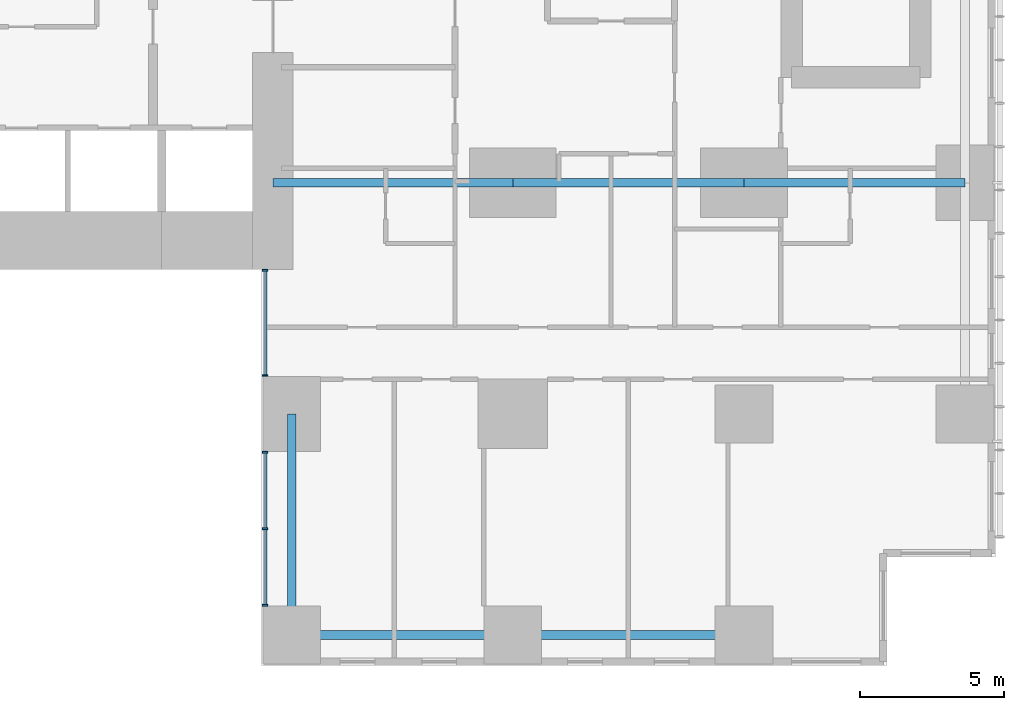
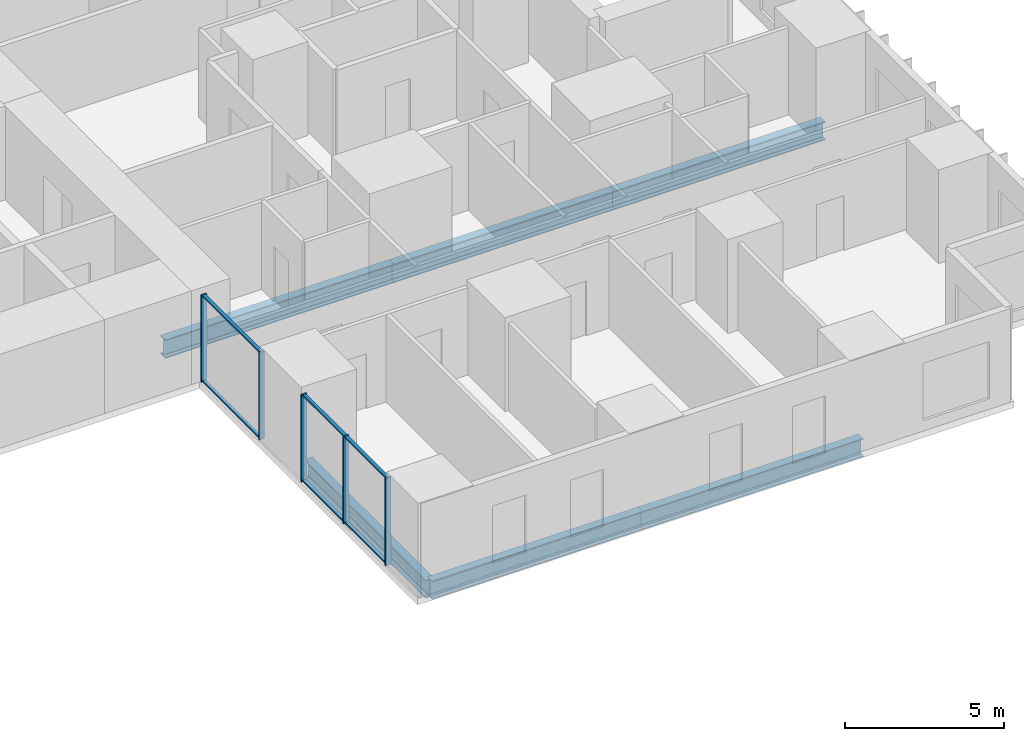
# One storey, part 3 of 20: 11 members, 6 beams, 2 elements without a shape of their own.
"""IFC4 building model written with IfcOpenShell, lengths in metres."""

from ifc_helpers import new_model, si_unit, direction, frame, origin, origin_2d, place, context, subcontext, project, spatial, rectangle, i_section, extrude, material, layer, layer_set, material_profile, profile_set, type_object, element, aggregate, save


model = new_model("IFC4")

# Units and contexts
model_context = context("Model", 3, precision=1e-05, world=origin(), true_north=direction((0.0, 1.0)))
body_context = subcontext(model_context, "Body", "Model", "MODEL_VIEW")
ifc_project = project(units=[si_unit("LENGTHUNIT", "METRE"), si_unit("AREAUNIT", "SQUARE_METRE"), si_unit("VOLUMEUNIT", "CUBIC_METRE"), si_unit("PLANEANGLEUNIT", "RADIAN"), si_unit("MASSUNIT", "GRAM", prefix="KILO")], contexts=[model_context])

# Site, building, storey
site_placement = place(None, origin())
site = spatial("IfcSite", under=ifc_project, at=site_placement, CompositionType="ELEMENT")
building_placement = place(site_placement, origin())
building = spatial("IfcBuilding", under=site, at=building_placement, Name="Cleftline Residences", CompositionType="ELEMENT")
storey_placement = place(building_placement, frame((0.0, 0.0, 121.39990234375)))
storey = spatial("IfcBuildingStorey", under=building, at=storey_placement, Name="L31", CompositionType="ELEMENT", Elevation=121.39990234375)

# Beams
ifc_material_1 = material(Name="Steel S355", Category="steel")
ifc_material_profile_1 = material_profile(ifc_material_1, i_section(OverallWidth=0.300048828125, OverallDepth=0.699951171875, WebThickness=0.01708984375, FlangeThickness=0.031982421875, FilletRadius=0.027099609375, at=origin_2d()))
ifc_profile_set_1 = profile_set([ifc_material_profile_1], Name="Steel S355")
beam_type_1 = type_object("IfcBeamType", Name="BEAM HEB 700", PredefinedType="BEAM", material=ifc_profile_set_1)
beam_1_placement = place(storey_placement, frame((58.0, 0.35009765625, -0.599853515625), z_axis=(-1.0, 0.0, 0.0), x_axis=(0.0, -1.0, 0.0)))
element("IfcBeam", 1, at=beam_1_placement, inside=storey, type_object=beam_type_1, Name="Edge beam", PredefinedType="BEAM", context=body_context, shape_type="SweptSolid", body=[
    extrude(i_section(OverallWidth=0.300048828125, OverallDepth=0.699951171875, WebThickness=0.01708984375, FlangeThickness=0.031982421875, FilletRadius=0.027099609375, at=origin_2d()), origin(), (0.0, 0.0, 1.0), 8.0),
])
for number, where, z_axis, x_axis, name in (
    (2, (50.0, 0.35009765625, -0.599853515625), (-1.0, 0.0, 0.0), (0.0, -1.0, 0.0), "Edge beam"),
    (3, (42.35009765625, 0.35009765625, -0.599853515625), (0.0, 1.0, 0.0), (-1.0, 0.0, 0.0), "Edge beam"),
):
    element("IfcBeam", number, at=place(storey_placement, frame(where, z_axis=z_axis, x_axis=x_axis)), inside=storey, type_object=beam_type_1, Name=name, PredefinedType="BEAM", context=body_context, shape_type="SweptSolid", body=[
        extrude(i_section(OverallWidth=0.300048828125, OverallDepth=0.699951171875, WebThickness=0.01708984375, FlangeThickness=0.031982421875, FilletRadius=0.027099609375, at=origin_2d()), origin(), (0.0, 0.0, 1.0), 7.64990234375),
    ])
ifc_material_2 = material(Name="Steel S355", Category="steel")
ifc_material_profile_2 = material_profile(ifc_material_2, i_section(OverallWidth=0.303955078125, OverallDepth=0.716064453125, WebThickness=0.02099609375, FlangeThickness=0.0400390625, FilletRadius=0.027099609375, at=origin_2d()))
ifc_profile_set_2 = profile_set([ifc_material_profile_2], Name="Steel S355")
beam_type_2 = type_object("IfcBeamType", Name="BEAM HEM 700", PredefinedType="BEAM", material=ifc_profile_set_2)
beam_2_placement = place(storey_placement, frame((65.64990234375, 16.0, -0.60791015625), z_axis=(-1.0, 0.0, 0.0), x_axis=(0.0, -1.0, 0.0)))
element("IfcBeam", 4, at=beam_2_placement, inside=storey, type_object=beam_type_2, Name="Band beam", PredefinedType="BEAM", context=body_context, shape_type="SweptSolid", body=[
    extrude(i_section(OverallWidth=0.303955078125, OverallDepth=0.716064453125, WebThickness=0.02099609375, FlangeThickness=0.0400390625, FilletRadius=0.027099609375, at=origin_2d()), origin(), (0.0, 0.0, 1.0), 7.64990234375),
])
beam_3_placement = place(storey_placement, frame((58.0, 16.0, -0.60791015625), z_axis=(-1.0, 0.0, 0.0), x_axis=(0.0, -1.0, 0.0)))
element("IfcBeam", 5, at=beam_3_placement, inside=storey, type_object=beam_type_2, Name="Band beam", PredefinedType="BEAM", context=body_context, shape_type="SweptSolid", body=[
    extrude(i_section(OverallWidth=0.303955078125, OverallDepth=0.716064453125, WebThickness=0.02099609375, FlangeThickness=0.0400390625, FilletRadius=0.027099609375, at=origin_2d()), origin(), (0.0, 0.0, 1.0), 8.0),
])
beam_4_placement = place(storey_placement, frame((50.0, 16.0, -0.60791015625), z_axis=(-1.0, 0.0, 0.0), x_axis=(0.0, -1.0, 0.0)))
element("IfcBeam", 6, at=beam_4_placement, inside=storey, type_object=beam_type_2, Name="Band beam", PredefinedType="BEAM", context=body_context, shape_type="SweptSolid", body=[
    extrude(i_section(OverallWidth=0.303955078125, OverallDepth=0.716064453125, WebThickness=0.02099609375, FlangeThickness=0.0400390625, FilletRadius=0.027099609375, at=origin_2d()), origin(), (0.0, 0.0, 1.0), 8.300048828125),
])

# Curtain wall, members
ifc_material_3 = material(Name="Aluminium framed curtain wall", Category="aluminium")
ifc_layer = layer(ifc_material_3, 0.199951171875)
ifc_layer_set = layer_set([ifc_layer], Name="CW1 CLEFT GLAZING")
curtain_wall_type = type_object("IfcCurtainWallType", Name="CW1 CLEFT GLAZING", PredefinedType="NOTDEFINED", material=ifc_layer_set)
curtain_wall_1_placement = place(storey_placement, origin())
curtain_wall_1 = element("IfcCurtainWall", 7, at=curtain_wall_1_placement, inside=storey, type_object=curtain_wall_type, Name="Curtain wall CW1", PredefinedType="NOTDEFINED")
ifc_material_4 = material(Name="Aluminium mullion", Category="aluminium")
ifc_material_profile_3 = material_profile(ifc_material_4, rectangle(XDim=0.199951171875, YDim=0.06005859375, at=origin_2d()))
ifc_profile_set_3 = profile_set([ifc_material_profile_3], Name="Aluminium mullion")
member_type_1 = type_object("IfcMemberType", Name="CW1 MULLION", PredefinedType="MULLION", material=ifc_profile_set_3)
member_1_placement = place(storey_placement, frame((41.425048828125, 12.969970703125, 0.0), z_axis=(0.0, 0.0, 1.0), x_axis=(1.0, 0.0, 0.0)))
member_1 = element("IfcMember", 8, at=member_1_placement, type_object=member_type_1, Name="CW1 mullion 1", PredefinedType="MULLION", context=body_context, shape_type="SweptSolid", body=[
    extrude(rectangle(XDim=0.199951171875, YDim=0.06005859375, at=origin_2d()), origin(), (0.0, 0.0, 1.0), 3.35009765625),
])
member_2_placement = place(storey_placement, frame((41.425048828125, 9.330078125, 0.0), z_axis=(0.0, 0.0, 1.0), x_axis=(1.0, 0.0, 0.0)))
member_2 = element("IfcMember", 9, at=member_2_placement, type_object=member_type_1, Name="CW1 mullion 2", PredefinedType="MULLION", context=body_context, shape_type="SweptSolid", body=[
    extrude(rectangle(XDim=0.199951171875, YDim=0.06005859375, at=origin_2d()), origin(), (0.0, 0.0, 1.0), 3.35009765625),
])

curtain_wall_2_placement = place(storey_placement, origin())
curtain_wall_2 = element("IfcCurtainWall", 10, at=curtain_wall_2_placement, inside=storey, type_object=curtain_wall_type, Name="Curtain wall CW1", PredefinedType="NOTDEFINED")
member_3_placement = place(storey_placement, frame((41.425048828125, 6.669921875, 0.0), z_axis=(0.0, 0.0, 1.0), x_axis=(1.0, 0.0, 0.0)))
member_3 = element("IfcMember", 11, at=member_3_placement, type_object=member_type_1, Name="CW1 mullion 1", PredefinedType="MULLION", context=body_context, shape_type="SweptSolid", body=[
    extrude(rectangle(XDim=0.199951171875, YDim=0.06005859375, at=origin_2d()), origin(), (0.0, 0.0, 1.0), 3.35009765625),
])
member_4_placement = place(storey_placement, frame((41.425048828125, 4.02490234375, 0.0), z_axis=(0.0, 0.0, 1.0), x_axis=(1.0, 0.0, 0.0)))
member_4 = element("IfcMember", 12, at=member_4_placement, type_object=member_type_1, Name="CW1 mullion 2", PredefinedType="MULLION", context=body_context, shape_type="SweptSolid", body=[
    extrude(rectangle(XDim=0.199951171875, YDim=0.06005859375, at=origin_2d()), origin(), (0.0, 0.0, 1.0), 3.35009765625),
])
member_5_placement = place(storey_placement, frame((41.425048828125, 1.3798828125, 0.0), z_axis=(0.0, 0.0, 1.0), x_axis=(1.0, 0.0, 0.0)))
member_5 = element("IfcMember", 13, at=member_5_placement, type_object=member_type_1, Name="CW1 mullion 3", PredefinedType="MULLION", context=body_context, shape_type="SweptSolid", body=[
    extrude(rectangle(XDim=0.199951171875, YDim=0.06005859375, at=origin_2d()), origin(), (0.0, 0.0, 1.0), 3.35009765625),
])

# Member
ifc_material_5 = material(Name="Aluminium transom", Category="aluminium")
ifc_material_profile_4 = material_profile(ifc_material_5, rectangle(XDim=0.1201171875, YDim=0.06005859375, at=origin_2d()))
ifc_profile_set_4 = profile_set([ifc_material_profile_4], Name="Aluminium transom")
member_type_2 = type_object("IfcMemberType", Name="CW1 TRANSOM", PredefinedType="USERDEFINED", material=ifc_profile_set_4)
member_6_placement = place(storey_placement, frame((41.425048828125, 12.93994140625, 0.030029296875), z_axis=(0.0, -1.0, 0.0), x_axis=(1.0, 0.0, 0.0)))
member_6 = element("IfcMember", 14, at=member_6_placement, type_object=member_type_2, Name="CW1 transom 1.1", ObjectType="TRANSOM", PredefinedType="USERDEFINED", context=body_context, shape_type="SweptSolid", body=[
    extrude(rectangle(XDim=0.1201171875, YDim=0.06005859375, at=origin_2d()), origin(), (0.0, 0.0, 1.0), 3.579833984375),
])

member_7_placement = place(storey_placement, frame((41.425048828125, 12.93994140625, 3.320068359375), z_axis=(0.0, -1.0, 0.0), x_axis=(1.0, 0.0, 0.0)))
member_7 = element("IfcMember", 15, at=member_7_placement, type_object=member_type_2, Name="CW1 transom 1.2", ObjectType="TRANSOM", PredefinedType="USERDEFINED", context=body_context, shape_type="SweptSolid", body=[
    extrude(rectangle(XDim=0.1201171875, YDim=0.06005859375, at=origin_2d()), origin(), (0.0, 0.0, 1.0), 3.579833984375),
])

aggregate(curtain_wall_1, [member_1, member_2, member_6, member_7])

member_8_placement = place(storey_placement, frame((41.425048828125, 6.639892578125, 0.030029296875), z_axis=(0.0, -1.0, 0.0), x_axis=(1.0, 0.0, 0.0)))
member_8 = element("IfcMember", 16, at=member_8_placement, type_object=member_type_2, Name="CW1 transom 1.1", ObjectType="TRANSOM", PredefinedType="USERDEFINED", context=body_context, shape_type="SweptSolid", body=[
    extrude(rectangle(XDim=0.1201171875, YDim=0.06005859375, at=origin_2d()), origin(), (0.0, 0.0, 1.0), 2.5849609375),
])

member_9_placement = place(storey_placement, frame((41.425048828125, 6.639892578125, 3.320068359375), z_axis=(0.0, -1.0, 0.0), x_axis=(1.0, 0.0, 0.0)))
member_9 = element("IfcMember", 17, at=member_9_placement, type_object=member_type_2, Name="CW1 transom 1.2", ObjectType="TRANSOM", PredefinedType="USERDEFINED", context=body_context, shape_type="SweptSolid", body=[
    extrude(rectangle(XDim=0.1201171875, YDim=0.06005859375, at=origin_2d()), origin(), (0.0, 0.0, 1.0), 2.5849609375),
])

member_10_placement = place(storey_placement, frame((41.425048828125, 3.9951171875, 0.030029296875), z_axis=(0.0, -1.0, 0.0), x_axis=(1.0, 0.0, 0.0)))
member_10 = element("IfcMember", 18, at=member_10_placement, type_object=member_type_2, Name="CW1 transom 2.1", ObjectType="TRANSOM", PredefinedType="USERDEFINED", context=body_context, shape_type="SweptSolid", body=[
    extrude(rectangle(XDim=0.1201171875, YDim=0.06005859375, at=origin_2d()), origin(), (0.0, 0.0, 1.0), 2.585205078125),
])

member_11_placement = place(storey_placement, frame((41.425048828125, 3.9951171875, 3.320068359375), z_axis=(0.0, -1.0, 0.0), x_axis=(1.0, 0.0, 0.0)))
member_11 = element("IfcMember", 19, at=member_11_placement, type_object=member_type_2, Name="CW1 transom 2.2", ObjectType="TRANSOM", PredefinedType="USERDEFINED", context=body_context, shape_type="SweptSolid", body=[
    extrude(rectangle(XDim=0.1201171875, YDim=0.06005859375, at=origin_2d()), origin(), (0.0, 0.0, 1.0), 2.585205078125),
])

aggregate(curtain_wall_2, [member_3, member_4, member_5, member_8, member_9, member_10, member_11])

save(model, "model.ifc")
